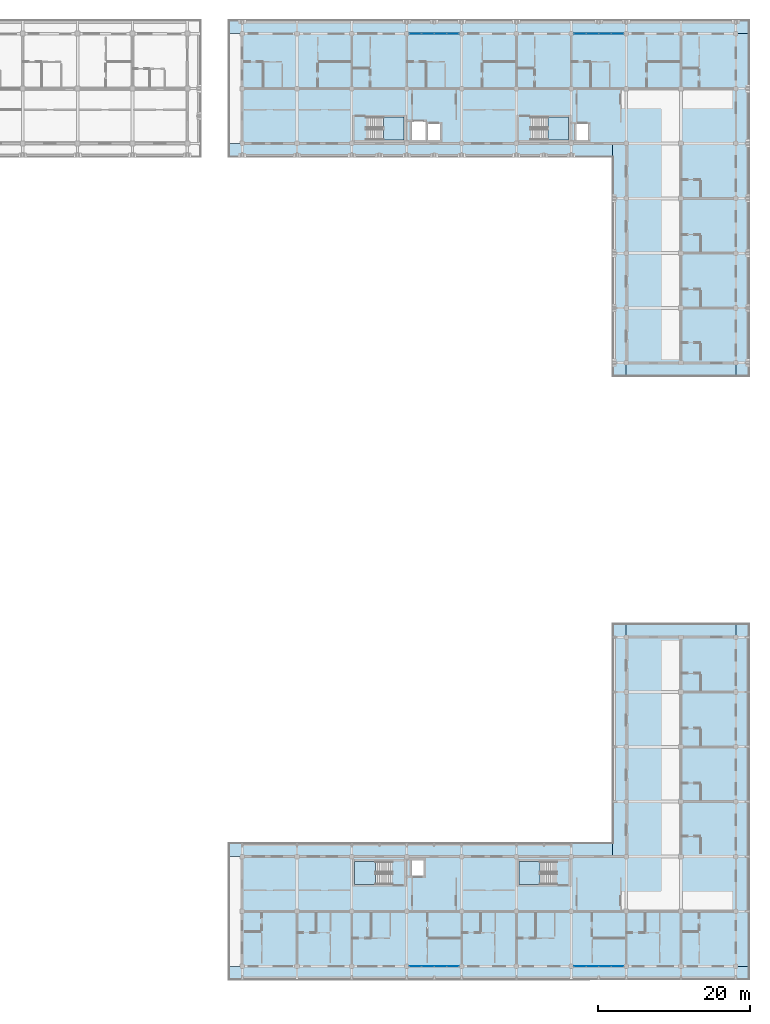
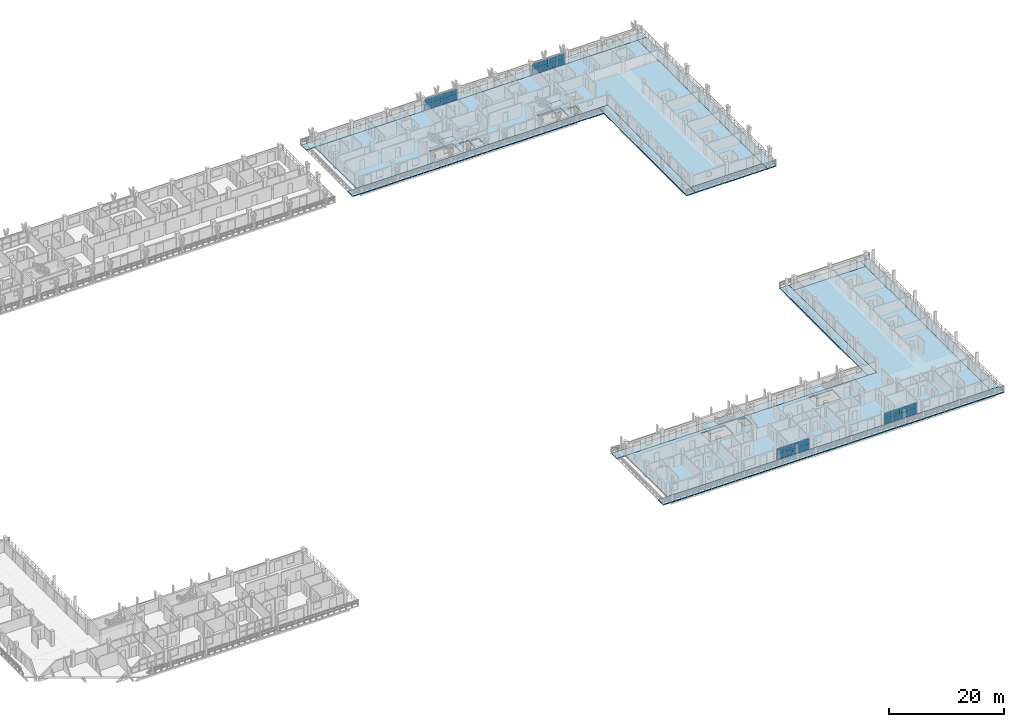
# One storey, part 35 of 76: 32 plates, 16 slabs, 8 elements without a shape of their own.
"""IFC4 building model written with IfcOpenShell, lengths in metres."""

from ifc_helpers import new_model, si_unit, direction, frame, origin, origin_2d, place, context, subcontext, project, spatial, polyline, rectangle, outline, extrude, material, layer, layer_set, type_object, element, aggregate, save


model = new_model("IFC4")

# Units and contexts
model_context = context("Model", 3, precision=1e-05, world=origin(), true_north=direction((0.0, 1.0)))
body_context = subcontext(model_context, "Body", "Model", "MODEL_VIEW")
ifc_project = project(units=[si_unit("LENGTHUNIT", "METRE"), si_unit("AREAUNIT", "SQUARE_METRE"), si_unit("VOLUMEUNIT", "CUBIC_METRE"), si_unit("PLANEANGLEUNIT", "RADIAN"), si_unit("MASSUNIT", "GRAM", prefix="KILO")], contexts=[model_context])

# Site, building, storey
site_placement = place(None, origin())
site = spatial("IfcSite", under=ifc_project, at=site_placement, CompositionType="ELEMENT")
building_placement = place(site_placement, origin())
building = spatial("IfcBuilding", under=site, at=building_placement, Name="Suanplinth Sawtooth Commons", CompositionType="ELEMENT")
storey_placement = place(building_placement, frame((0.0, 0.0, 12.199951171875)))
storey = spatial("IfcBuildingStorey", under=building, at=storey_placement, Name="L03", CompositionType="ELEMENT", Elevation=12.199951171875)

# Curtain wall, plates
ifc_material_1 = material(Name="Anodized aluminium and low-E glazing", Category="aluminium")
curtain_wall_type = type_object("IfcCurtainWallType", Name="CW-06", PredefinedType="USERDEFINED", material=ifc_material_1)
curtain_wall_1_placement = place(storey_placement, origin())
curtain_wall_1 = element("IfcCurtainWall", 1, at=curtain_wall_1_placement, inside=storey, type_object=curtain_wall_type, Name="Curtain Wall CW-L03-B-LOUNGE-20", ObjectType="CURTAIN WALL", PredefinedType="USERDEFINED")
ifc_material_2 = material(Name="Tempered low-E double glazing", Category="glass")
ifc_layer_1 = layer(ifc_material_2, 0.028076171875, Name="Vision low-E insulated glazing unit 28mm")
ifc_layer_set_1 = layer_set([ifc_layer_1], Name="Tempered low-E double glazing")
plate_type = type_object("IfcPlateType", Name="PL-05", PredefinedType="CURTAIN_PANEL", material=ifc_layer_set_1)
plate_1_placement = place(storey_placement, frame((145.141357421875, 122.39990234375, 0.06494140625), z_axis=(0.0, 0.0, 1.0), x_axis=(1.0, 0.0, 0.0)))
plate_1 = element("IfcPlate", 2, at=plate_1_placement, type_object=plate_type, Name="CW-06 panel 1.1", PredefinedType="CURTAIN_PANEL", context=body_context, shape_type="SweptSolid", body=[
    extrude(rectangle(XDim=1.552490234375, YDim=0.028076171875, at=origin_2d()), origin(), (0.0, 0.0, 1.0), 1.132568359375),
])
plate_2_placement = place(storey_placement, frame((145.141357421875, 122.39990234375, 1.2626953125), z_axis=(0.0, 0.0, 1.0), x_axis=(1.0, 0.0, 0.0)))
plate_2 = element("IfcPlate", 3, at=plate_2_placement, type_object=plate_type, Name="CW-06 panel 1.2", PredefinedType="CURTAIN_PANEL", context=body_context, shape_type="SweptSolid", body=[
    extrude(rectangle(XDim=1.552490234375, YDim=0.028076171875, at=origin_2d()), origin(), (0.0, 0.0, 1.0), 1.132568359375),
])
plate_3_placement = place(storey_placement, frame((146.77490234375, 122.39990234375, 0.06494140625), z_axis=(0.0, 0.0, 1.0), x_axis=(1.0, 0.0, 0.0)))
plate_3 = element("IfcPlate", 4, at=plate_3_placement, type_object=plate_type, Name="CW-06 panel 2.1", PredefinedType="CURTAIN_PANEL", context=body_context, shape_type="SweptSolid", body=[
    extrude(rectangle(XDim=1.5849609375, YDim=0.028076171875, at=origin_2d()), origin(), (0.0, 0.0, 1.0), 1.132568359375),
])
plate_4_placement = place(storey_placement, frame((146.77490234375, 122.39990234375, 1.2626953125), z_axis=(0.0, 0.0, 1.0), x_axis=(1.0, 0.0, 0.0)))
plate_4 = element("IfcPlate", 5, at=plate_4_placement, type_object=plate_type, Name="CW-06 panel 2.2", PredefinedType="CURTAIN_PANEL", context=body_context, shape_type="SweptSolid", body=[
    extrude(rectangle(XDim=1.5849609375, YDim=0.028076171875, at=origin_2d()), origin(), (0.0, 0.0, 1.0), 1.132568359375),
])
plate_5_placement = place(storey_placement, frame((148.425048828125, 122.39990234375, 0.06494140625), z_axis=(0.0, 0.0, 1.0), x_axis=(1.0, 0.0, 0.0)))
plate_5 = element("IfcPlate", 6, at=plate_5_placement, type_object=plate_type, Name="CW-06 panel 3.1", PredefinedType="CURTAIN_PANEL", context=body_context, shape_type="SweptSolid", body=[
    extrude(rectangle(XDim=1.5849609375, YDim=0.028076171875, at=origin_2d()), origin(), (0.0, 0.0, 1.0), 1.132568359375),
])
plate_6_placement = place(storey_placement, frame((148.425048828125, 122.39990234375, 1.2626953125), z_axis=(0.0, 0.0, 1.0), x_axis=(1.0, 0.0, 0.0)))
plate_6 = element("IfcPlate", 7, at=plate_6_placement, type_object=plate_type, Name="CW-06 panel 3.2", PredefinedType="CURTAIN_PANEL", context=body_context, shape_type="SweptSolid", body=[
    extrude(rectangle(XDim=1.5849609375, YDim=0.028076171875, at=origin_2d()), origin(), (0.0, 0.0, 1.0), 1.132568359375),
])
plate_7_placement = place(storey_placement, frame((150.058837890625, 122.39990234375, 0.06494140625), z_axis=(0.0, 0.0, 1.0), x_axis=(1.0, 0.0, 0.0)))
plate_7 = element("IfcPlate", 8, at=plate_7_placement, type_object=plate_type, Name="CW-06 panel 4.1", PredefinedType="CURTAIN_PANEL", context=body_context, shape_type="SweptSolid", body=[
    extrude(rectangle(XDim=1.552490234375, YDim=0.028076171875, at=origin_2d()), origin(), (0.0, 0.0, 1.0), 1.132568359375),
])
plate_8_placement = place(storey_placement, frame((150.058837890625, 122.39990234375, 1.2626953125), z_axis=(0.0, 0.0, 1.0), x_axis=(1.0, 0.0, 0.0)))
plate_8 = element("IfcPlate", 9, at=plate_8_placement, type_object=plate_type, Name="CW-06 panel 4.2", PredefinedType="CURTAIN_PANEL", context=body_context, shape_type="SweptSolid", body=[
    extrude(rectangle(XDim=1.552490234375, YDim=0.028076171875, at=origin_2d()), origin(), (0.0, 0.0, 1.0), 1.132568359375),
])
aggregate(curtain_wall_1, [plate_1, plate_2, plate_3, plate_4, plate_5, plate_6, plate_7, plate_8])

curtain_wall_2_placement = place(storey_placement, origin())
curtain_wall_2 = element("IfcCurtainWall", 10, at=curtain_wall_2_placement, inside=storey, type_object=curtain_wall_type, Name="Curtain Wall CW-L03-B-LOUNGE-23", ObjectType="CURTAIN WALL", PredefinedType="USERDEFINED")
plate_9_placement = place(storey_placement, frame((166.7412109375, 122.39990234375, 0.06494140625), z_axis=(0.0, 0.0, 1.0), x_axis=(1.0, 0.0, 0.0)))
plate_9 = element("IfcPlate", 11, at=plate_9_placement, type_object=plate_type, Name="CW-06 panel 1.1", PredefinedType="CURTAIN_PANEL", context=body_context, shape_type="SweptSolid", body=[
    extrude(rectangle(XDim=1.552490234375, YDim=0.028076171875, at=origin_2d()), origin(), (0.0, 0.0, 1.0), 1.132568359375),
])
plate_10_placement = place(storey_placement, frame((166.7412109375, 122.39990234375, 1.2626953125), z_axis=(0.0, 0.0, 1.0), x_axis=(1.0, 0.0, 0.0)))
plate_10 = element("IfcPlate", 12, at=plate_10_placement, type_object=plate_type, Name="CW-06 panel 1.2", PredefinedType="CURTAIN_PANEL", context=body_context, shape_type="SweptSolid", body=[
    extrude(rectangle(XDim=1.552490234375, YDim=0.028076171875, at=origin_2d()), origin(), (0.0, 0.0, 1.0), 1.132568359375),
])
plate_11_placement = place(storey_placement, frame((168.375, 122.39990234375, 0.06494140625), z_axis=(0.0, 0.0, 1.0), x_axis=(1.0, 0.0, 0.0)))
plate_11 = element("IfcPlate", 13, at=plate_11_placement, type_object=plate_type, Name="CW-06 panel 2.1", PredefinedType="CURTAIN_PANEL", context=body_context, shape_type="SweptSolid", body=[
    extrude(rectangle(XDim=1.5849609375, YDim=0.028076171875, at=origin_2d()), origin(), (0.0, 0.0, 1.0), 1.132568359375),
])
plate_12_placement = place(storey_placement, frame((168.375, 122.39990234375, 1.2626953125), z_axis=(0.0, 0.0, 1.0), x_axis=(1.0, 0.0, 0.0)))
plate_12 = element("IfcPlate", 14, at=plate_12_placement, type_object=plate_type, Name="CW-06 panel 2.2", PredefinedType="CURTAIN_PANEL", context=body_context, shape_type="SweptSolid", body=[
    extrude(rectangle(XDim=1.5849609375, YDim=0.028076171875, at=origin_2d()), origin(), (0.0, 0.0, 1.0), 1.132568359375),
])
plate_13_placement = place(storey_placement, frame((170.02490234375, 122.39990234375, 0.06494140625), z_axis=(0.0, 0.0, 1.0), x_axis=(1.0, 0.0, 0.0)))
plate_13 = element("IfcPlate", 15, at=plate_13_placement, type_object=plate_type, Name="CW-06 panel 3.1", PredefinedType="CURTAIN_PANEL", context=body_context, shape_type="SweptSolid", body=[
    extrude(rectangle(XDim=1.5849609375, YDim=0.028076171875, at=origin_2d()), origin(), (0.0, 0.0, 1.0), 1.132568359375),
])
plate_14_placement = place(storey_placement, frame((170.02490234375, 122.39990234375, 1.2626953125), z_axis=(0.0, 0.0, 1.0), x_axis=(1.0, 0.0, 0.0)))
plate_14 = element("IfcPlate", 16, at=plate_14_placement, type_object=plate_type, Name="CW-06 panel 3.2", PredefinedType="CURTAIN_PANEL", context=body_context, shape_type="SweptSolid", body=[
    extrude(rectangle(XDim=1.5849609375, YDim=0.028076171875, at=origin_2d()), origin(), (0.0, 0.0, 1.0), 1.132568359375),
])
plate_15_placement = place(storey_placement, frame((171.65869140625, 122.39990234375, 0.06494140625), z_axis=(0.0, 0.0, 1.0), x_axis=(1.0, 0.0, 0.0)))
plate_15 = element("IfcPlate", 17, at=plate_15_placement, type_object=plate_type, Name="CW-06 panel 4.1", PredefinedType="CURTAIN_PANEL", context=body_context, shape_type="SweptSolid", body=[
    extrude(rectangle(XDim=1.552490234375, YDim=0.028076171875, at=origin_2d()), origin(), (0.0, 0.0, 1.0), 1.132568359375),
])
plate_16_placement = place(storey_placement, frame((171.65869140625, 122.39990234375, 1.2626953125), z_axis=(0.0, 0.0, 1.0), x_axis=(1.0, 0.0, 0.0)))
plate_16 = element("IfcPlate", 18, at=plate_16_placement, type_object=plate_type, Name="CW-06 panel 4.2", PredefinedType="CURTAIN_PANEL", context=body_context, shape_type="SweptSolid", body=[
    extrude(rectangle(XDim=1.552490234375, YDim=0.028076171875, at=origin_2d()), origin(), (0.0, 0.0, 1.0), 1.132568359375),
])
aggregate(curtain_wall_2, [plate_9, plate_10, plate_11, plate_12, plate_13, plate_14, plate_15, plate_16])

curtain_wall_3_placement = place(storey_placement, origin())
curtain_wall_3 = element("IfcCurtainWall", 19, at=curtain_wall_3_placement, inside=storey, type_object=curtain_wall_type, Name="Curtain Wall CW-L03-C-LOUNGE-20", ObjectType="CURTAIN WALL", PredefinedType="USERDEFINED")
plate_17_placement = place(storey_placement, frame((145.141357421875, 0.0, 0.06494140625), z_axis=(0.0, 0.0, 1.0), x_axis=(1.0, 0.0, 0.0)))
plate_17 = element("IfcPlate", 20, at=plate_17_placement, type_object=plate_type, Name="CW-06 panel 1.1", PredefinedType="CURTAIN_PANEL", context=body_context, shape_type="SweptSolid", body=[
    extrude(rectangle(XDim=1.552490234375, YDim=0.028076171875, at=origin_2d()), origin(), (0.0, 0.0, 1.0), 1.132568359375),
])
plate_18_placement = place(storey_placement, frame((145.141357421875, 0.0, 1.2626953125), z_axis=(0.0, 0.0, 1.0), x_axis=(1.0, 0.0, 0.0)))
plate_18 = element("IfcPlate", 21, at=plate_18_placement, type_object=plate_type, Name="CW-06 panel 1.2", PredefinedType="CURTAIN_PANEL", context=body_context, shape_type="SweptSolid", body=[
    extrude(rectangle(XDim=1.552490234375, YDim=0.028076171875, at=origin_2d()), origin(), (0.0, 0.0, 1.0), 1.132568359375),
])
plate_19_placement = place(storey_placement, frame((146.77490234375, 0.0, 0.06494140625), z_axis=(0.0, 0.0, 1.0), x_axis=(1.0, 0.0, 0.0)))
plate_19 = element("IfcPlate", 22, at=plate_19_placement, type_object=plate_type, Name="CW-06 panel 2.1", PredefinedType="CURTAIN_PANEL", context=body_context, shape_type="SweptSolid", body=[
    extrude(rectangle(XDim=1.5849609375, YDim=0.028076171875, at=origin_2d()), origin(), (0.0, 0.0, 1.0), 1.132568359375),
])
plate_20_placement = place(storey_placement, frame((146.77490234375, 0.0, 1.2626953125), z_axis=(0.0, 0.0, 1.0), x_axis=(1.0, 0.0, 0.0)))
plate_20 = element("IfcPlate", 23, at=plate_20_placement, type_object=plate_type, Name="CW-06 panel 2.2", PredefinedType="CURTAIN_PANEL", context=body_context, shape_type="SweptSolid", body=[
    extrude(rectangle(XDim=1.5849609375, YDim=0.028076171875, at=origin_2d()), origin(), (0.0, 0.0, 1.0), 1.132568359375),
])
plate_21_placement = place(storey_placement, frame((148.425048828125, 0.0, 0.06494140625), z_axis=(0.0, 0.0, 1.0), x_axis=(1.0, 0.0, 0.0)))
plate_21 = element("IfcPlate", 24, at=plate_21_placement, type_object=plate_type, Name="CW-06 panel 3.1", PredefinedType="CURTAIN_PANEL", context=body_context, shape_type="SweptSolid", body=[
    extrude(rectangle(XDim=1.5849609375, YDim=0.028076171875, at=origin_2d()), origin(), (0.0, 0.0, 1.0), 1.132568359375),
])
plate_22_placement = place(storey_placement, frame((148.425048828125, 0.0, 1.2626953125), z_axis=(0.0, 0.0, 1.0), x_axis=(1.0, 0.0, 0.0)))
plate_22 = element("IfcPlate", 25, at=plate_22_placement, type_object=plate_type, Name="CW-06 panel 3.2", PredefinedType="CURTAIN_PANEL", context=body_context, shape_type="SweptSolid", body=[
    extrude(rectangle(XDim=1.5849609375, YDim=0.028076171875, at=origin_2d()), origin(), (0.0, 0.0, 1.0), 1.132568359375),
])
plate_23_placement = place(storey_placement, frame((150.058837890625, 0.0, 0.06494140625), z_axis=(0.0, 0.0, 1.0), x_axis=(1.0, 0.0, 0.0)))
plate_23 = element("IfcPlate", 26, at=plate_23_placement, type_object=plate_type, Name="CW-06 panel 4.1", PredefinedType="CURTAIN_PANEL", context=body_context, shape_type="SweptSolid", body=[
    extrude(rectangle(XDim=1.552490234375, YDim=0.028076171875, at=origin_2d()), origin(), (0.0, 0.0, 1.0), 1.132568359375),
])
plate_24_placement = place(storey_placement, frame((150.058837890625, 0.0, 1.2626953125), z_axis=(0.0, 0.0, 1.0), x_axis=(1.0, 0.0, 0.0)))
plate_24 = element("IfcPlate", 27, at=plate_24_placement, type_object=plate_type, Name="CW-06 panel 4.2", PredefinedType="CURTAIN_PANEL", context=body_context, shape_type="SweptSolid", body=[
    extrude(rectangle(XDim=1.552490234375, YDim=0.028076171875, at=origin_2d()), origin(), (0.0, 0.0, 1.0), 1.132568359375),
])
aggregate(curtain_wall_3, [plate_17, plate_18, plate_19, plate_20, plate_21, plate_22, plate_23, plate_24])

curtain_wall_4_placement = place(storey_placement, origin())
curtain_wall_4 = element("IfcCurtainWall", 28, at=curtain_wall_4_placement, inside=storey, type_object=curtain_wall_type, Name="Curtain Wall CW-L03-C-LOUNGE-23", ObjectType="CURTAIN WALL", PredefinedType="USERDEFINED")
plate_25_placement = place(storey_placement, frame((166.7412109375, 0.0, 0.06494140625), z_axis=(0.0, 0.0, 1.0), x_axis=(1.0, 0.0, 0.0)))
plate_25 = element("IfcPlate", 29, at=plate_25_placement, type_object=plate_type, Name="CW-06 panel 1.1", PredefinedType="CURTAIN_PANEL", context=body_context, shape_type="SweptSolid", body=[
    extrude(rectangle(XDim=1.552490234375, YDim=0.028076171875, at=origin_2d()), origin(), (0.0, 0.0, 1.0), 1.132568359375),
])
plate_26_placement = place(storey_placement, frame((166.7412109375, 0.0, 1.2626953125), z_axis=(0.0, 0.0, 1.0), x_axis=(1.0, 0.0, 0.0)))
plate_26 = element("IfcPlate", 30, at=plate_26_placement, type_object=plate_type, Name="CW-06 panel 1.2", PredefinedType="CURTAIN_PANEL", context=body_context, shape_type="SweptSolid", body=[
    extrude(rectangle(XDim=1.552490234375, YDim=0.028076171875, at=origin_2d()), origin(), (0.0, 0.0, 1.0), 1.132568359375),
])
plate_27_placement = place(storey_placement, frame((168.375, 0.0, 0.06494140625), z_axis=(0.0, 0.0, 1.0), x_axis=(1.0, 0.0, 0.0)))
plate_27 = element("IfcPlate", 31, at=plate_27_placement, type_object=plate_type, Name="CW-06 panel 2.1", PredefinedType="CURTAIN_PANEL", context=body_context, shape_type="SweptSolid", body=[
    extrude(rectangle(XDim=1.5849609375, YDim=0.028076171875, at=origin_2d()), origin(), (0.0, 0.0, 1.0), 1.132568359375),
])
plate_28_placement = place(storey_placement, frame((168.375, 0.0, 1.2626953125), z_axis=(0.0, 0.0, 1.0), x_axis=(1.0, 0.0, 0.0)))
plate_28 = element("IfcPlate", 32, at=plate_28_placement, type_object=plate_type, Name="CW-06 panel 2.2", PredefinedType="CURTAIN_PANEL", context=body_context, shape_type="SweptSolid", body=[
    extrude(rectangle(XDim=1.5849609375, YDim=0.028076171875, at=origin_2d()), origin(), (0.0, 0.0, 1.0), 1.132568359375),
])
plate_29_placement = place(storey_placement, frame((170.02490234375, 0.0, 0.06494140625), z_axis=(0.0, 0.0, 1.0), x_axis=(1.0, 0.0, 0.0)))
plate_29 = element("IfcPlate", 33, at=plate_29_placement, type_object=plate_type, Name="CW-06 panel 3.1", PredefinedType="CURTAIN_PANEL", context=body_context, shape_type="SweptSolid", body=[
    extrude(rectangle(XDim=1.5849609375, YDim=0.028076171875, at=origin_2d()), origin(), (0.0, 0.0, 1.0), 1.132568359375),
])
plate_30_placement = place(storey_placement, frame((170.02490234375, 0.0, 1.2626953125), z_axis=(0.0, 0.0, 1.0), x_axis=(1.0, 0.0, 0.0)))
plate_30 = element("IfcPlate", 34, at=plate_30_placement, type_object=plate_type, Name="CW-06 panel 3.2", PredefinedType="CURTAIN_PANEL", context=body_context, shape_type="SweptSolid", body=[
    extrude(rectangle(XDim=1.5849609375, YDim=0.028076171875, at=origin_2d()), origin(), (0.0, 0.0, 1.0), 1.132568359375),
])
plate_31_placement = place(storey_placement, frame((171.65869140625, 0.0, 0.06494140625), z_axis=(0.0, 0.0, 1.0), x_axis=(1.0, 0.0, 0.0)))
plate_31 = element("IfcPlate", 35, at=plate_31_placement, type_object=plate_type, Name="CW-06 panel 4.1", PredefinedType="CURTAIN_PANEL", context=body_context, shape_type="SweptSolid", body=[
    extrude(rectangle(XDim=1.552490234375, YDim=0.028076171875, at=origin_2d()), origin(), (0.0, 0.0, 1.0), 1.132568359375),
])
plate_32_placement = place(storey_placement, frame((171.65869140625, 0.0, 1.2626953125), z_axis=(0.0, 0.0, 1.0), x_axis=(1.0, 0.0, 0.0)))
plate_32 = element("IfcPlate", 36, at=plate_32_placement, type_object=plate_type, Name="CW-06 panel 4.2", PredefinedType="CURTAIN_PANEL", context=body_context, shape_type="SweptSolid", body=[
    extrude(rectangle(XDim=1.552490234375, YDim=0.028076171875, at=origin_2d()), origin(), (0.0, 0.0, 1.0), 1.132568359375),
])
aggregate(curtain_wall_4, [plate_25, plate_26, plate_27, plate_28, plate_29, plate_30, plate_31, plate_32])

# Slabs
ifc_material_3 = material(Name="Precast concrete C40/50", Category="concrete")
ifc_layer_2 = layer(ifc_material_3, 0.179931640625, Name="Wrap-around cantilevered precast balcony slab 180mm")
ifc_layer_set_2 = layer_set([ifc_layer_2], Name="Precast concrete C40/50")
slab_type_1 = type_object("IfcSlabType", Name="S-BL01", PredefinedType="FLOOR", material=ifc_layer_set_2)
slab_1_placement = place(storey_placement, frame((0.0, 0.0, -0.179931640625)))
element("IfcSlab", 37, at=slab_1_placement, inside=storey, type_object=slab_type_1, Name="L03 Block B Wrap-Around Balcony N", PredefinedType="FLOOR", context=body_context, shape_type="SweptSolid", body=[
    extrude(outline(polyline([(120.60009765625, 122.39990234375), (120.60009765625, 124.199951171875), (189.0, 124.199951171875), (189.0, 122.39990234375), (120.60009765625, 122.39990234375)])), origin(), (0.0, 0.0, 1.0), 0.179931640625),
])
slab_2_placement = place(storey_placement, frame((0.0, 0.0, -0.179931640625)))
element("IfcSlab", 38, at=slab_2_placement, inside=storey, type_object=slab_type_1, Name="L03 Block B Wrap-Around Balcony E", PredefinedType="FLOOR", context=body_context, shape_type="SweptSolid", body=[
    extrude(outline(polyline([(189.0, 122.39990234375), (189.0, 77.39990234375), (187.199951171875, 77.39990234375), (187.199951171875, 122.39990234375), (189.0, 122.39990234375)])), origin(), (0.0, 0.0, 1.0), 0.179931640625),
])
slab_3_placement = place(storey_placement, frame((0.0, 0.0, -0.179931640625)))
element("IfcSlab", 39, at=slab_3_placement, inside=storey, type_object=slab_type_1, Name="L03 Block B Wrap-Around Balcony SEND", PredefinedType="FLOOR", context=body_context, shape_type="SweptSolid", body=[
    extrude(outline(polyline([(187.199951171875, 77.39990234375), (172.800048828125, 77.39990234375), (172.800048828125, 79.199951171875), (187.199951171875, 79.199951171875), (187.199951171875, 77.39990234375)])), origin(), (0.0, 0.0, 1.0), 0.179931640625),
])
slab_4_placement = place(storey_placement, frame((0.0, 0.0, -0.179931640625)))
element("IfcSlab", 40, at=slab_4_placement, inside=storey, type_object=slab_type_1, Name="L03 Block C Wrap-Around Balcony S", PredefinedType="FLOOR", context=body_context, shape_type="SweptSolid", body=[
    extrude(outline(polyline([(189.0, 0.0), (189.0, -1.800048828125), (120.60009765625, -1.800048828125), (120.60009765625, 0.0), (189.0, 0.0)])), origin(), (0.0, 0.0, 1.0), 0.179931640625),
])
slab_5_placement = place(storey_placement, frame((0.0, 0.0, -0.179931640625)))
element("IfcSlab", 41, at=slab_5_placement, inside=storey, type_object=slab_type_1, Name="L03 Block C Wrap-Around Balcony E", PredefinedType="FLOOR", context=body_context, shape_type="SweptSolid", body=[
    extrude(outline(polyline([(187.199951171875, 45.0), (189.0, 45.0), (189.0, 0.0), (187.199951171875, 0.0), (187.199951171875, 45.0)])), origin(), (0.0, 0.0, 1.0), 0.179931640625),
])
slab_6_placement = place(storey_placement, frame((0.0, 0.0, -0.179931640625)))
element("IfcSlab", 42, at=slab_6_placement, inside=storey, type_object=slab_type_1, Name="L03 Block C Wrap-Around Balcony NEND", PredefinedType="FLOOR", context=body_context, shape_type="SweptSolid", body=[
    extrude(outline(polyline([(172.800048828125, 45.0), (187.199951171875, 45.0), (187.199951171875, 43.199951171875), (172.800048828125, 43.199951171875), (172.800048828125, 45.0)])), origin(), (0.0, 0.0, 1.0), 0.179931640625),
])
ifc_layer_3 = layer(ifc_material_3, 0.175048828125, Name="Courtyard cantilevered precast balcony slab 175mm")
ifc_layer_set_3 = layer_set([ifc_layer_3], Name="Precast concrete C40/50")
slab_type_2 = type_object("IfcSlabType", Name="S-BL02", PredefinedType="FLOOR", material=ifc_layer_set_3)
slab_7_placement = place(storey_placement, frame((0.0, 0.0, -0.175048828125)))
element("IfcSlab", 43, at=slab_7_placement, inside=storey, type_object=slab_type_2, Name="L03 Block B Wrap-Around Balcony SC", PredefinedType="FLOOR", context=body_context, shape_type="SweptSolid", body=[
    extrude(outline(polyline([(171.0, 106.199951171875), (120.60009765625, 106.199951171875), (120.60009765625, 108.0), (171.0, 108.0), (171.0, 106.199951171875)])), origin(), (0.0, 0.0, 1.0), 0.175048828125),
])
slab_8_placement = place(storey_placement, frame((0.0, 0.0, -0.175048828125)))
element("IfcSlab", 44, at=slab_8_placement, inside=storey, type_object=slab_type_2, Name="L03 Block B Wrap-Around Balcony WC", PredefinedType="FLOOR", context=body_context, shape_type="SweptSolid", body=[
    extrude(outline(polyline([(172.800048828125, 77.39990234375), (171.0, 77.39990234375), (171.0, 108.0), (172.800048828125, 108.0), (172.800048828125, 77.39990234375)])), origin(), (0.0, 0.0, 1.0), 0.175048828125),
])
slab_9_placement = place(storey_placement, frame((0.0, 0.0, -0.175048828125)))
element("IfcSlab", 45, at=slab_9_placement, inside=storey, type_object=slab_type_2, Name="L03 Block C Wrap-Around Balcony NC", PredefinedType="FLOOR", context=body_context, shape_type="SweptSolid", body=[
    extrude(outline(polyline([(120.60009765625, 14.39990234375), (120.60009765625, 16.199951171875), (171.0, 16.199951171875), (171.0, 14.39990234375), (120.60009765625, 14.39990234375)])), origin(), (0.0, 0.0, 1.0), 0.175048828125),
])
slab_10_placement = place(storey_placement, frame((0.0, 0.0, -0.175048828125)))
element("IfcSlab", 46, at=slab_10_placement, inside=storey, type_object=slab_type_2, Name="L03 Block C Wrap-Around Balcony WC", PredefinedType="FLOOR", context=body_context, shape_type="SweptSolid", body=[
    extrude(outline(polyline([(172.800048828125, 14.39990234375), (171.0, 14.39990234375), (171.0, 45.0), (172.800048828125, 45.0), (172.800048828125, 14.39990234375)])), origin(), (0.0, 0.0, 1.0), 0.175048828125),
])
ifc_layer_4 = layer(ifc_material_3, 0.239990234375, Name="Precast hollow-core + topping floor slab 240mm")
ifc_layer_set_4 = layer_set([ifc_layer_4], Name="Precast concrete C40/50")
slab_type_3 = type_object("IfcSlabType", Name="S-FL02", PredefinedType="FLOOR", material=ifc_layer_set_4)
slab_11_placement = place(storey_placement, frame((0.0, 0.0, -0.239990234375)))
element("IfcSlab", 47, at=slab_11_placement, inside=storey, type_object=slab_type_3, Name="L03 Block B Structural Floor Plate", PredefinedType="FLOOR", context=body_context, shape_type="SweptSolid", body=[
    extrude(outline(polyline([(172.800048828125, 108.0), (122.39990234375, 108.0), (122.39990234375, 122.39990234375), (187.199951171875, 122.39990234375), (187.199951171875, 79.199951171875), (172.800048828125, 79.199951171875), (172.800048828125, 108.0)]), holes=[polyline([(138.889892578125, 108.449951171875), (143.64990234375, 108.449951171875), (143.64990234375, 111.449951171875), (138.889892578125, 111.449951171875), (138.889892578125, 108.449951171875)]), polyline([(144.64990234375, 108.449951171875), (146.449951171875, 108.449951171875), (146.449951171875, 110.85009765625), (144.64990234375, 110.85009765625), (144.64990234375, 108.449951171875)]), polyline([(146.800048828125, 108.449951171875), (148.39990234375, 108.449951171875), (148.39990234375, 110.550048828125), (146.800048828125, 110.550048828125), (146.800048828125, 108.449951171875)]), polyline([(160.489990234375, 108.449951171875), (165.25, 108.449951171875), (165.25, 111.449951171875), (160.489990234375, 111.449951171875), (160.489990234375, 108.449951171875)]), polyline([(166.25, 108.449951171875), (167.85009765625, 108.449951171875), (167.85009765625, 110.550048828125), (166.25, 110.550048828125), (166.25, 108.449951171875)])]), origin(), (0.0, 0.0, 1.0), 0.239990234375),
])
slab_12_placement = place(storey_placement, frame((0.0, 0.0, -0.239990234375)))
element("IfcSlab", 48, at=slab_12_placement, inside=storey, type_object=slab_type_3, Name="L03 Block C Structural Floor Plate", PredefinedType="FLOOR", context=body_context, shape_type="SweptSolid", body=[
    extrude(outline(polyline([(187.199951171875, 0.0), (122.39990234375, 0.0), (122.39990234375, 14.39990234375), (172.800048828125, 14.39990234375), (172.800048828125, 43.199951171875), (187.199951171875, 43.199951171875), (187.199951171875, 0.0)]), holes=[polyline([(137.14990234375, 10.75), (141.909912109375, 10.75), (141.909912109375, 13.75), (137.14990234375, 13.75), (137.14990234375, 10.75)]), polyline([(144.64990234375, 11.85009765625), (146.25, 11.85009765625), (146.25, 13.949951171875), (144.64990234375, 13.949951171875), (144.64990234375, 11.85009765625)]), polyline([(158.75, 10.75), (163.510009765625, 10.75), (163.510009765625, 13.75), (158.75, 13.75), (158.75, 10.75)])]), origin(), (0.0, 0.0, 1.0), 0.239990234375),
])

# Stair, slab
ifc_material_4 = material(Name="Concrete C40/50", Category="concrete")
stair_type = type_object("IfcStairType", Name="ST-07", PredefinedType="USERDEFINED", material=ifc_material_4)
stair_1_placement = place(storey_placement, origin())
stair_1 = element("IfcStair", 49, at=stair_1_placement, inside=storey, type_object=stair_type, Name="L03 Exit Stair ST-E1", ObjectType="TWO_RETURN_STAIR", PredefinedType="USERDEFINED")
ifc_layer_5 = layer(ifc_material_4, 0.199951171875, Name="Reinforced concrete stair and ramp landing slab 200mm")
ifc_layer_set_5 = layer_set([ifc_layer_5], Name="Concrete C40/50")
slab_type_4 = type_object("IfcSlabType", Name="S-LD01", PredefinedType="LANDING", material=ifc_layer_set_5)
slab_13_placement = place(storey_placement, frame((0.0, 0.0, 1.400146484375)))
slab_13 = element("IfcSlab", 50, at=slab_13_placement, type_object=slab_type_4, Name="ST-07 landing 1", PredefinedType="LANDING", context=body_context, shape_type="SweptSolid", body=[
    extrude(outline(polyline([(140.929931640625, 108.449951171875), (143.64990234375, 108.449951171875), (143.64990234375, 111.449951171875), (140.929931640625, 111.449951171875), (140.929931640625, 108.449951171875)])), origin(), (0.0, 0.0, 1.0), 0.199951171875),
])
aggregate(stair_1, [slab_13])

stair_2_placement = place(storey_placement, origin())
stair_2 = element("IfcStair", 51, at=stair_2_placement, inside=storey, type_object=stair_type, Name="L03 Exit Stair ST-E2", ObjectType="TWO_RETURN_STAIR", PredefinedType="USERDEFINED")
slab_14_placement = place(storey_placement, frame((0.0, 0.0, 1.400146484375)))
slab_14 = element("IfcSlab", 52, at=slab_14_placement, type_object=slab_type_4, Name="ST-07 landing 1", PredefinedType="LANDING", context=body_context, shape_type="SweptSolid", body=[
    extrude(outline(polyline([(162.530029296875, 108.449951171875), (165.25, 108.449951171875), (165.25, 111.449951171875), (162.530029296875, 111.449951171875), (162.530029296875, 108.449951171875)])), origin(), (0.0, 0.0, 1.0), 0.199951171875),
])
aggregate(stair_2, [slab_14])

stair_3_placement = place(storey_placement, origin())
stair_3 = element("IfcStair", 53, at=stair_3_placement, inside=storey, type_object=stair_type, Name="L03 Exit Stair ST-S1", ObjectType="TWO_RETURN_STAIR", PredefinedType="USERDEFINED")
slab_15_placement = place(storey_placement, frame((0.0, 0.0, 1.400146484375)))
slab_15 = element("IfcSlab", 54, at=slab_15_placement, type_object=slab_type_4, Name="ST-07 landing 1", PredefinedType="LANDING", context=body_context, shape_type="SweptSolid", body=[
    extrude(outline(polyline([(139.8701171875, 13.75), (137.14990234375, 13.75), (137.14990234375, 10.75), (139.8701171875, 10.75), (139.8701171875, 13.75)])), origin(), (0.0, 0.0, 1.0), 0.199951171875),
])
aggregate(stair_3, [slab_15])

stair_4_placement = place(storey_placement, origin())
stair_4 = element("IfcStair", 55, at=stair_4_placement, inside=storey, type_object=stair_type, Name="L03 Exit Stair ST-S2", ObjectType="TWO_RETURN_STAIR", PredefinedType="USERDEFINED")
slab_16_placement = place(storey_placement, frame((0.0, 0.0, 1.400146484375)))
slab_16 = element("IfcSlab", 56, at=slab_16_placement, type_object=slab_type_4, Name="ST-07 landing 1", PredefinedType="LANDING", context=body_context, shape_type="SweptSolid", body=[
    extrude(outline(polyline([(161.469970703125, 13.75), (158.75, 13.75), (158.75, 10.75), (161.469970703125, 10.75), (161.469970703125, 13.75)])), origin(), (0.0, 0.0, 1.0), 0.199951171875),
])
aggregate(stair_4, [slab_16])

save(model, "model.ifc")
